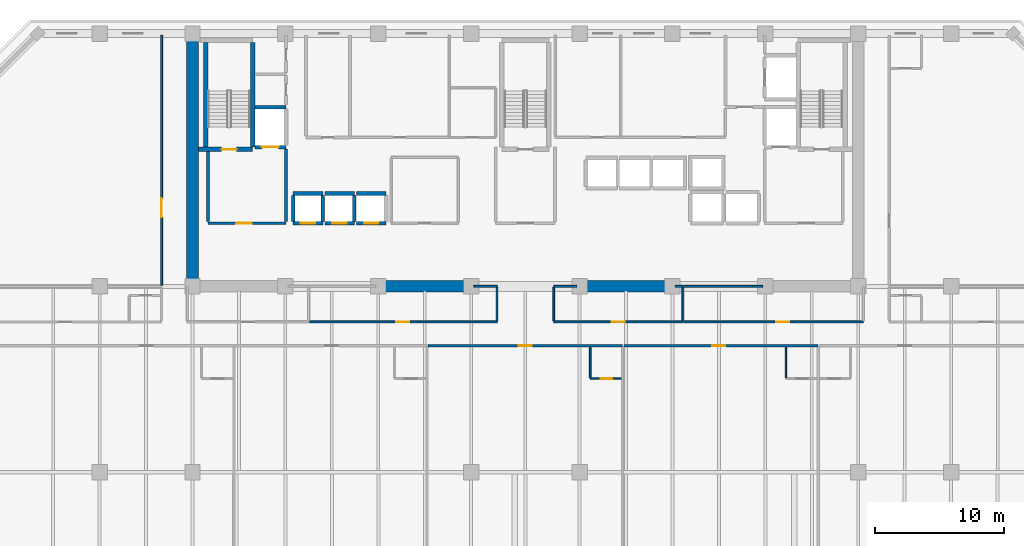
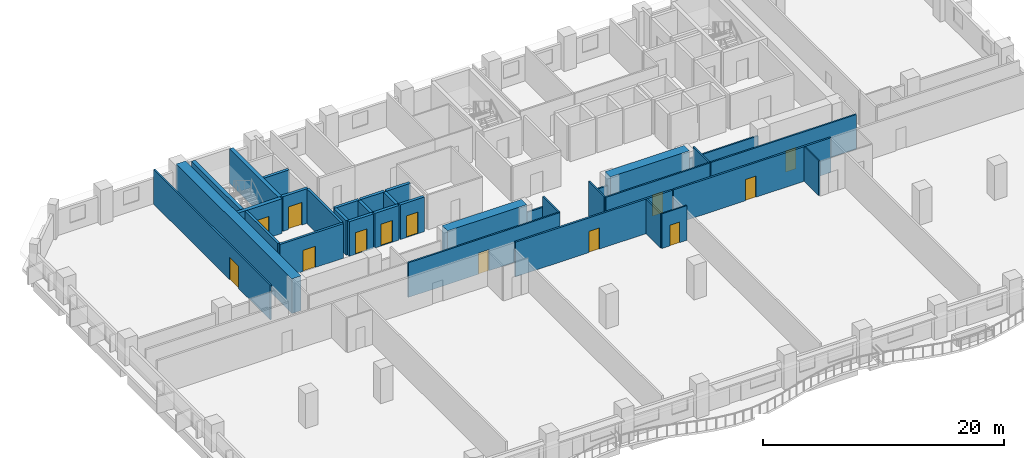
# One storey, part 6 of 14: 36 walls, 13 doors, 13 openings.
"""IFC4 building model written with IfcOpenShell, lengths in metres."""

import ifcopenshell
import ifcopenshell.guid

model = None  # the IFC model being written
_history = None  # IfcOwnerHistory: only IFC2X3 demands one
_inside = {}  # id of a spatial element -> (the spatial element, [elements in it])
_under = {}  # id of a project, library or spatial element -> (it, [spatial elements below it])
_declared = {}  # id of a project -> (the project, [libraries it declares])
_typed = {}  # id of a type object -> (the type object, [elements of that type])
_made_of = {}  # id of a material, layer set ... -> (it, [elements and type objects made of it])


def new_model(schema):
    """Start an empty IFC model of exactly this schema.

    Asked for "IFC4X3", IfcOpenShell would pick the latest addendum, in which some entities
    have other attributes; the version numbers below select the first issue.
    IFC2X3 requires an IfcOwnerHistory on every rooted entity: one is made here for all.
    """
    global model, _history
    if schema == "IFC4X3":
        model = ifcopenshell.file(schema_version=(4, 3, 0, 0))
    else:
        model = ifcopenshell.file(schema=schema)
    _inside.clear()
    _under.clear()
    _declared.clear()
    _typed.clear()
    _made_of.clear()
    _history = None
    if model.schema == "IFC2X3":
        org = make("IfcOrganization", Name="unknown")
        user = make(
            "IfcPersonAndOrganization",
            ThePerson=make("IfcPerson", FamilyName="unknown"),
            TheOrganization=org,
        )
        app = make(
            "IfcApplication",
            ApplicationDeveloper=org,
            Version="unknown",
            ApplicationFullName="unknown",
            ApplicationIdentifier="unknown",
        )
        _history = make(
            "IfcOwnerHistory",
            OwningUser=user,
            OwningApplication=app,
            ChangeAction="ADDED",
            CreationDate=0,
        )
    return model


def make(cls, **values):
    """One entity of the class cls with the attributes given. An attribute that is None is left unset."""
    return model.create_entity(
        cls, **{name: value for name, value in values.items() if value is not None}
    )


def rooted(cls, **values):
    """An entity with a GlobalId (a new one), such as an element, a storey or a relation."""
    return make(cls, GlobalId=ifcopenshell.guid.new(), OwnerHistory=_history, **values)


def si_unit(unit_type, name, prefix=None):
    """IfcSIUnit, for example si_unit("LENGTHUNIT", "METRE", prefix="MILLI")."""
    return make("IfcSIUnit", UnitType=unit_type, Prefix=prefix, Name=name)


def assignment(units):
    """IfcUnitAssignment: the units of a project."""
    return None if units is None else make("IfcUnitAssignment", Units=units)


def point(xyz):
    """IfcCartesianPoint."""
    return None if xyz is None else make("IfcCartesianPoint", Coordinates=xyz)


def direction(xyz):
    """IfcDirection."""
    return None if xyz is None else make("IfcDirection", DirectionRatios=xyz)


def frame(location, z_axis=None, x_axis=None):
    """IfcAxis2Placement3D, a coordinate frame: its origin and axes. An axis left out is left unset."""
    return make(
        "IfcAxis2Placement3D",
        Location=point(location),
        Axis=direction(z_axis),
        RefDirection=direction(x_axis),
    )


def frame_2d(location, x_axis=None):
    """IfcAxis2Placement2D, a coordinate frame in the plane: its origin and x axis."""
    return make(
        "IfcAxis2Placement2D", Location=point(location), RefDirection=direction(x_axis)
    )


def origin():
    """The frame at (0, 0, 0) with its axes left unset."""
    return frame((0.0, 0.0, 0.0))


def place(relative_to, where):
    """IfcLocalPlacement: puts the frame where relative to a parent placement (None: the world)."""
    return make(
        "IfcLocalPlacement", PlacementRelTo=relative_to, RelativePlacement=where
    )


def context(
    kind, dimensions, precision=None, world=None, true_north=None, identifier=None
):
    """IfcGeometricRepresentationContext, for example the 3D "Model" context."""
    return make(
        "IfcGeometricRepresentationContext",
        ContextIdentifier=identifier,
        ContextType=kind,
        CoordinateSpaceDimension=dimensions,
        Precision=precision,
        WorldCoordinateSystem=world,
        TrueNorth=true_north,
    )


def subcontext(parent, identifier, kind, view, scale=None):
    """IfcGeometricRepresentationSubContext, for example "Body" below "Model"."""
    return make(
        "IfcGeometricRepresentationSubContext",
        ContextIdentifier=identifier,
        ContextType=kind,
        ParentContext=parent,
        TargetScale=scale,
        TargetView=view,
    )


def project(units=None, contexts=None):
    """IfcProject with its units and contexts."""
    return rooted(
        "IfcProject",
        Name="project",
        RepresentationContexts=contexts,
        UnitsInContext=assignment(units),
    )


def spatial(cls, under=None, at=None, **own):
    """A site, building, storey or space (cls), placed at a placement, below another one or the project."""
    s = rooted(cls, ObjectPlacement=at, **own)
    if under is not None:
        _under.setdefault(under.id(), (under, []))[1].append(s)
    return s


def profile(cls, at=None, kind="AREA", **sizes):
    """A parametric profile (cls). Its sizes go by their IFC names, for example OverallWidth=200.0."""
    return make(cls, ProfileType=kind, Position=at, **sizes)


def rectangle(**sizes):
    """IfcRectangleProfileDef."""
    return profile("IfcRectangleProfileDef", **sizes)


def extrude(swept, where, along, depth):
    """IfcExtrudedAreaSolid: the profile swept, set in the frame where, extruded along a direction by depth."""
    return make(
        "IfcExtrudedAreaSolid",
        SweptArea=swept,
        Position=where,
        ExtrudedDirection=direction(along),
        Depth=depth,
    )


def shape(context_of_items, identifier, shape_type, items):
    """IfcShapeRepresentation: the items that make up one representation, for example the "Body"."""
    return make(
        "IfcShapeRepresentation",
        ContextOfItems=context_of_items,
        RepresentationIdentifier=identifier,
        RepresentationType=shape_type,
        Items=items,
    )


def material(Name=None, Category=None):
    """IfcMaterial."""
    return make("IfcMaterial", Name=Name, Category=Category)


def layer(
    of_material, thickness, ventilated=None, Name=None, Category=None, Priority=None
):
    """IfcMaterialLayer: one layer of a wall or slab, of a material (None: an air gap)."""
    return make(
        "IfcMaterialLayer",
        Material=of_material,
        LayerThickness=thickness,
        IsVentilated=ventilated,
        Name=Name,
        Category=Category,
        Priority=Priority,
    )


def layer_set(layers, Name=None):
    """IfcMaterialLayerSet."""
    return make("IfcMaterialLayerSet", MaterialLayers=layers, LayerSetName=Name)


def made_of(thing, what):
    """Note that an element or type object is made of a material, layer set ...; save() writes the relation."""
    if what is not None:
        _made_of.setdefault(what.id(), (what, []))[1].append(thing)
    return thing


def type_object(cls, material=None, **own):
    """A type object (cls), such as IfcWallType, which elements share."""
    return made_of(rooted(cls, **own), material)


def element(
    cls,
    number,
    at=None,
    inside=None,
    cuts=None,
    type_object=None,
    material=None,
    context=None,
    identifier="Body",
    shape_type=None,
    held_by="IfcProductDefinitionShape",
    body=None,
    shapes=None,
    **own,
):
    """One element of the class cls, such as IfcWall. Its Tag is "e" and its number.

    at: its placement. inside: the storey or other place that contains it. cuts: it is an
    opening in that element (IfcRelVoidsElement). A single representation is given by context,
    identifier, shape_type and body (its items); several are given by shapes. held_by: the class
    of the entity that holds the representations. save() writes the other relations.
    """
    e = rooted(cls, Tag="e%d" % number, ObjectPlacement=at, **own)
    if body is not None:
        shapes = [shape(context, identifier, shape_type, body)]
    if shapes is not None:
        e.Representation = make(held_by, Representations=shapes)
    if inside is not None:
        _inside.setdefault(inside.id(), (inside, []))[1].append(e)
    if cuts is not None:
        rooted(
            "IfcRelVoidsElement", RelatingBuildingElement=cuts, RelatedOpeningElement=e
        )
    if type_object is not None:
        _typed.setdefault(type_object.id(), (type_object, []))[1].append(e)
    return made_of(e, material)


def fill(opening, filler):
    """IfcRelFillsElement: the door or window that sits in an opening."""
    return rooted(
        "IfcRelFillsElement",
        RelatingOpeningElement=opening,
        RelatedBuildingElement=filler,
    )


def aggregate(whole, parts):
    """IfcRelAggregates: a whole, such as a stair, and the parts it consists of."""
    return rooted("IfcRelAggregates", RelatingObject=whole, RelatedObjects=parts)


def save(model, path):
    """Write the relations noted so far, then the file.

    IfcRelAggregates (storeys below a building ...), IfcRelContainedInSpatialStructure (elements
    in a storey), IfcRelDefinesByType, IfcRelAssociatesMaterial and IfcRelDeclares: one each for
    every whole, place, type object, material and project.
    """
    for whole, parts in _under.values():
        aggregate(whole, parts)
    for where, things in _inside.values():
        rooted(
            "IfcRelContainedInSpatialStructure",
            RelatedElements=things,
            RelatingStructure=where,
        )
    for kind, things in _typed.values():
        rooted("IfcRelDefinesByType", RelatedObjects=things, RelatingType=kind)
    for what, things in _made_of.values():
        rooted("IfcRelAssociatesMaterial", RelatedObjects=things, RelatingMaterial=what)
    for by, libraries in _declared.values():
        rooted("IfcRelDeclares", RelatingContext=by, RelatedDefinitions=libraries)
    model.write(path)


model = new_model("IFC4")

# Units and contexts
model_context = context("Model", 3, precision=1e-05, world=origin(), true_north=direction((0.0, 1.0)))
body_context = subcontext(model_context, "Body", "Model", "MODEL_VIEW")
ifc_project = project(units=[si_unit("LENGTHUNIT", "METRE"), si_unit("AREAUNIT", "SQUARE_METRE"), si_unit("VOLUMEUNIT", "CUBIC_METRE"), si_unit("PLANEANGLEUNIT", "RADIAN"), si_unit("MASSUNIT", "GRAM", prefix="KILO")], contexts=[model_context])

# Site, building, storey
site_placement = place(None, origin())
site = spatial("IfcSite", under=ifc_project, at=site_placement, CompositionType="ELEMENT")
building_placement = place(site_placement, origin())
building = spatial("IfcBuilding", under=site, at=building_placement, Name="Kaelvorn Grand Hotel", CompositionType="ELEMENT")
storey_placement = place(building_placement, frame((0.0, 0.0, 126.800048828125)))
storey = spatial("IfcBuildingStorey", under=building, at=storey_placement, Name="L30", CompositionType="ELEMENT", Elevation=126.800048828125)

# Walls
ifc_material_1 = material(Name="Concrete C60/75", Category="concrete")
ifc_layer_1 = layer(ifc_material_1, 0.89990234375)
ifc_layer_set_1 = layer_set([ifc_layer_1], Name="Concrete C60/75")
wall_type_1 = type_object("IfcWallType", Name="WL-CORE-900-C60", PredefinedType="SHEAR", material=ifc_layer_set_1)
wall_1_placement = place(storey_placement, frame((16.199951171875, 29.39990234375, 0.0), z_axis=(0.0, 0.0, 1.0), x_axis=(0.0, 1.0, 0.0)))
element("IfcWall", 1, at=wall_1_placement, inside=storey, type_object=wall_type_1, Name="L30 Rear-Core West Shear Wall", PredefinedType="SHEAR", context=body_context, shape_type="SweptSolid", body=[
    extrude(rectangle(XDim=19.2001953125, YDim=0.89990234375, at=frame_2d((9.60009765625, 0.0))), origin(), (0.0, 0.0, 1.0), 3.510009765625),
])
for number, where, z_axis, x_axis, name in (
    (2, (30.39990234375, 29.39990234375, 0.0), (0.0, 0.0, 1.0), (1.0, 0.0, 0.0), "L30 Rear-Core Coupled Shear Pier S2"),
    (3, (46.0, 29.39990234375, 0.0), (0.0, 0.0, 1.0), (1.0, 0.0, 0.0), "L30 Rear-Core Coupled Shear Pier S3"),
):
    element("IfcWall", number, at=place(storey_placement, frame(where, z_axis=z_axis, x_axis=x_axis)), inside=storey, type_object=wall_type_1, Name=name, PredefinedType="SHEAR", context=body_context, shape_type="SweptSolid", body=[
        extrude(rectangle(XDim=7.60009765625, YDim=0.89990234375, at=frame_2d((3.800048828125, 0.0))), origin(), (0.0, 0.0, 1.0), 3.510009765625),
    ])

# Wall, opening, door
ifc_material_2 = material(Name="Moisture-Resistant Tile & Stud Board")
ifc_layer_2 = layer(ifc_material_2, 0.125)
ifc_layer_set_2 = layer_set([ifc_layer_2], Name="Moisture-Resistant Tile & Stud Board")
wall_type_2 = type_object("IfcWallType", Name="WL-PART-125-WET", PredefinedType="PARTITIONING", material=ifc_layer_set_2)
wall_2_placement = place(storey_placement, frame((47.030029296875, 22.25, 0.0), z_axis=(0.0, 0.0, 1.0), x_axis=(1.0, 0.0, 0.0)))
wall_2 = element("IfcWall", 4, at=wall_2_placement, inside=storey, type_object=wall_type_2, Name="L30 En-suite Bathroom L30-03 S Partition", PredefinedType="PARTITIONING", context=body_context, shape_type="SweptSolid", body=[
    extrude(rectangle(XDim=2.405029296875, YDim=0.125, at=frame_2d((1.20263671875, 0.0))), origin(), (0.0, 0.0, 1.0), 3.510009765625),
])
opening_1_placement = place(wall_2_placement, frame((0.800048828125, 0.0, 0.0)))
opening_1 = element("IfcOpeningElement", 5, at=opening_1_placement, cuts=wall_2, Name="Opening DI4", PredefinedType="OPENING", context=body_context, shape_type="SweptSolid", body=[
    extrude(rectangle(XDim=0.89990234375, YDim=2.10009765625, at=frame_2d((0.449951171875, 1.050048828125))), frame((0.0, 0.072509765625, 0.0), z_axis=(0.0, -1.0, 0.0), x_axis=(1.0, 0.0, 0.0)), (0.0, 0.0, 1.0), 0.14501953125),
])
ifc_material_3 = material(Name="Timber Veneer Leaf", Category="wood")
door_type_1 = type_object("IfcDoorType", Name="DR-INT-BATH-900x2100", OperationType="NOTDEFINED", PredefinedType="DOOR", material=ifc_material_3)
door_1_placement = place(opening_1_placement, origin())
door_1 = element("IfcDoor", 6, at=door_1_placement, inside=storey, type_object=door_type_1, Name="L30 En-suite Bathroom L30-03 Door", OperationType="SINGLE_SWING_RIGHT", OverallHeight=2.10009765625, OverallWidth=0.89990234375, PredefinedType="DOOR", context=body_context, shape_type="SweptSolid", body=[
    extrude(rectangle(XDim=0.89990234375, YDim=2.10009765625, at=frame_2d((0.449951171875, 1.050048828125))), frame((0.0, 0.02490234375, 0.0), z_axis=(0.0, -1.0, 0.0), x_axis=(1.0, 0.0, 0.0)), (0.0, 0.0, 1.0), 0.050048828125),
])
fill(opening_1, door_1)

# Walls
for number, where, z_axis, x_axis, name in (
    (7, (47.030029296875, 22.3173828125, 0.0), (0.0, 0.0, 1.0), (0.0, 1.0, 0.0), "L30 En-suite Bathroom L30-03 W Partition"),
    (8, (62.190673828125, 22.3173828125, 0.0), (0.0, 0.0, 1.0), (0.0, 1.0, 0.0), "L30 En-suite Bathroom L30-04 W Partition"),
):
    element("IfcWall", number, at=place(storey_placement, frame(where, z_axis=z_axis, x_axis=x_axis)), inside=storey, type_object=wall_type_2, Name=name, PredefinedType="PARTITIONING", context=body_context, shape_type="SweptSolid", body=[
        extrude(rectangle(XDim=2.3876953125, YDim=0.125, at=frame_2d((1.19384765625, 0.0))), origin(), (0.0, 0.0, 1.0), 3.510009765625),
    ])

# Wall, opening, door
ifc_material_4 = material(Name="Acoustic Gypsum & Stud Partition")
ifc_layer_3 = layer(ifc_material_4, 0.14990234375)
ifc_layer_set_3 = layer_set([ifc_layer_3], Name="Acoustic Gypsum & Stud Partition")
wall_type_3 = type_object("IfcWallType", Name="WL-PART-150-EI60", PredefinedType="PARTITIONING", material=ifc_layer_set_3)
wall_3_placement = place(storey_placement, frame((25.280029296875, 26.64990234375, 0.0), z_axis=(0.0, 0.0, 1.0), x_axis=(1.0, 0.0, 0.0)))
wall_3 = element("IfcWall", 9, at=wall_3_placement, inside=storey, type_object=wall_type_3, Name="L30 Banquet Prep Kitchen S Partition", PredefinedType="PARTITIONING", context=body_context, shape_type="SweptSolid", body=[
    extrude(rectangle(XDim=14.52001953125, YDim=0.14990234375, at=frame_2d((7.260009765625, 0.0))), origin(), (0.0, 0.0, 1.0), 3.510009765625),
])
opening_2_placement = place(wall_3_placement, frame((6.719970703125, 0.0, 0.0)))
opening_2 = element("IfcOpeningElement", 10, at=opening_2_placement, cuts=wall_3, Name="Opening DI3", PredefinedType="OPENING", context=body_context, shape_type="SweptSolid", body=[
    extrude(rectangle(XDim=1.0, YDim=2.14990234375, at=frame_2d((0.5, 1.074951171875))), frame((0.0, 0.0849609375, 0.0), z_axis=(0.0, -1.0, 0.0), x_axis=(1.0, 0.0, 0.0)), (0.0, 0.0, 1.0), 0.169921875),
])
ifc_material_5 = material(Name="Timber Veneer Fire Leaf", Category="wood")
door_type_2 = type_object("IfcDoorType", Name="DR-INT-GUEST-1000x2150", OperationType="NOTDEFINED", PredefinedType="DOOR", material=ifc_material_5)
door_2_placement = place(opening_2_placement, origin())
door_2 = element("IfcDoor", 11, at=door_2_placement, inside=storey, type_object=door_type_2, Name="L30 Banquet Prep Kitchen Door", OperationType="SINGLE_SWING_RIGHT", OverallHeight=2.14990234375, OverallWidth=1.0, PredefinedType="DOOR", context=body_context, shape_type="SweptSolid", body=[
    extrude(rectangle(XDim=1.0, YDim=2.14990234375, at=frame_2d((0.5, 1.074951171875))), frame((0.0, 0.02490234375, 0.0), z_axis=(0.0, -1.0, 0.0), x_axis=(1.0, 0.0, 0.0)), (0.0, 0.0, 1.0), 0.050048828125),
])
fill(opening_2, door_2)

# Walls
wall_4_placement = place(storey_placement, frame((38.010009765625, 29.39990234375, 0.0), z_axis=(0.0, 0.0, 1.0), x_axis=(1.0, 0.0, 0.0)))
element("IfcWall", 12, at=wall_4_placement, inside=storey, type_object=wall_type_3, Name="L30 Banquet Prep Kitchen N Partition (2)", PredefinedType="PARTITIONING", context=body_context, shape_type="SweptSolid", body=[
    extrude(rectangle(XDim=1.7900390625, YDim=0.14990234375, at=frame_2d((0.89501953125, 0.0))), origin(), (0.0, 0.0, 1.0), 2.409912109375),
])
wall_5_placement = place(storey_placement, frame((39.800048828125, 26.72998046875, 0.0), z_axis=(0.0, 0.0, 1.0), x_axis=(0.0, 1.0, 0.0)))
element("IfcWall", 13, at=wall_5_placement, inside=storey, type_object=wall_type_3, Name="L30 Banquet Prep Kitchen E Partition", PredefinedType="PARTITIONING", context=body_context, shape_type="SweptSolid", body=[
    extrude(rectangle(XDim=2.590087890625, YDim=0.14990234375, at=frame_2d((1.294921875, 0.0))), origin(), (0.0, 0.0, 1.0), 3.510009765625),
])

# Wall, opening, door
wall_6_placement = place(storey_placement, frame((44.199951171875, 26.64990234375, 0.0), z_axis=(0.0, 0.0, 1.0), x_axis=(1.0, 0.0, 0.0)))
wall_6 = element("IfcWall", 14, at=wall_6_placement, inside=storey, type_object=wall_type_3, Name="L30 Board Meeting Room S Partition", PredefinedType="PARTITIONING", context=body_context, shape_type="SweptSolid", body=[
    extrude(rectangle(XDim=10.0, YDim=0.14990234375, at=frame_2d((5.0, 0.0))), origin(), (0.0, 0.0, 1.0), 3.510009765625),
])
opening_3_placement = place(wall_6_placement, frame((4.5, 0.0, 0.0)))
opening_3 = element("IfcOpeningElement", 15, at=opening_3_placement, cuts=wall_6, Name="Opening DI3", PredefinedType="OPENING", context=body_context, shape_type="SweptSolid", body=[
    extrude(rectangle(XDim=1.0, YDim=2.14990234375, at=frame_2d((0.5, 1.074951171875))), frame((0.0, 0.0849609375, 0.0), z_axis=(0.0, -1.0, 0.0), x_axis=(1.0, 0.0, 0.0)), (0.0, 0.0, 1.0), 0.169921875),
])
door_3_placement = place(opening_3_placement, origin())
door_3 = element("IfcDoor", 16, at=door_3_placement, inside=storey, type_object=door_type_2, Name="L30 Board Meeting Room Door", OperationType="SINGLE_SWING_LEFT", OverallHeight=2.14990234375, OverallWidth=1.0, PredefinedType="DOOR", context=body_context, shape_type="SweptSolid", body=[
    extrude(rectangle(XDim=1.0, YDim=2.14990234375, at=frame_2d((0.5, 1.074951171875))), frame((0.0, 0.02490234375, 0.0), z_axis=(0.0, -1.0, 0.0), x_axis=(1.0, 0.0, 0.0)), (0.0, 0.0, 1.0), 0.050048828125),
])
fill(opening_3, door_3)

# Walls
wall_7_placement = place(storey_placement, frame((44.199951171875, 29.39990234375, 0.0), z_axis=(0.0, 0.0, 1.0), x_axis=(1.0, 0.0, 0.0)))
element("IfcWall", 17, at=wall_7_placement, inside=storey, type_object=wall_type_3, Name="L30 Board Meeting Room N Partition (1)", PredefinedType="PARTITIONING", context=body_context, shape_type="SweptSolid", body=[
    extrude(rectangle(XDim=1.7900390625, YDim=0.14990234375, at=frame_2d((0.89501953125, 0.0))), origin(), (0.0, 0.0, 1.0), 2.409912109375),
])
wall_8_placement = place(storey_placement, frame((53.610107421875, 29.39990234375, 0.0), z_axis=(0.0, 0.0, 1.0), x_axis=(1.0, 0.0, 0.0)))
element("IfcWall", 18, at=wall_8_placement, inside=storey, type_object=wall_type_3, Name="L30 Board Meeting Room N Partition (2)", PredefinedType="PARTITIONING", context=body_context, shape_type="SweptSolid", body=[
    extrude(rectangle(XDim=0.58984375, YDim=0.14990234375, at=frame_2d((0.294921875, 0.0))), origin(), (0.0, 0.0, 1.0), 2.409912109375),
])
for number, where, z_axis, x_axis, name in (
    (19, (44.199951171875, 26.72998046875, 0.0), (0.0, 0.0, 1.0), (0.0, 1.0, 0.0), "L30 Board Meeting Room W Partition"),
    (20, (54.199951171875, 26.72998046875, 0.0), (0.0, 0.0, 1.0), (0.0, 1.0, 0.0), "L30 Board Meeting Room E Partition"),
):
    element("IfcWall", number, at=place(storey_placement, frame(where, z_axis=z_axis, x_axis=x_axis)), inside=storey, type_object=wall_type_3, Name=name, PredefinedType="PARTITIONING", context=body_context, shape_type="SweptSolid", body=[
        extrude(rectangle(XDim=2.590087890625, YDim=0.14990234375, at=frame_2d((1.294921875, 0.0))), origin(), (0.0, 0.0, 1.0), 3.510009765625),
    ])

# Wall, opening, door
wall_9_placement = place(storey_placement, frame((54.280029296875, 26.64990234375, 0.0), z_axis=(0.0, 0.0, 1.0), x_axis=(1.0, 0.0, 0.0)))
wall_9 = element("IfcWall", 21, at=wall_9_placement, inside=storey, type_object=wall_type_3, Name="L30 Diplomatic Chancery Office S Partition", PredefinedType="PARTITIONING", context=body_context, shape_type="SweptSolid", body=[
    extrude(rectangle(XDim=13.919921875, YDim=0.14990234375, at=frame_2d((6.9599609375, 0.0))), origin(), (0.0, 0.0, 1.0), 3.510009765625),
])
opening_4_placement = place(wall_9_placement, frame((7.169921875, 0.0, 0.0)))
opening_4 = element("IfcOpeningElement", 22, at=opening_4_placement, cuts=wall_9, Name="Opening DI3", PredefinedType="OPENING", context=body_context, shape_type="SweptSolid", body=[
    extrude(rectangle(XDim=1.0, YDim=2.14990234375, at=frame_2d((0.5, 1.074951171875))), frame((0.0, 0.0849609375, 0.0), z_axis=(0.0, -1.0, 0.0), x_axis=(1.0, 0.0, 0.0)), (0.0, 0.0, 1.0), 0.169921875),
])
door_4_placement = place(opening_4_placement, origin())
door_4 = element("IfcDoor", 23, at=door_4_placement, inside=storey, type_object=door_type_2, Name="L30 Diplomatic Chancery Office Door", OperationType="SINGLE_SWING_RIGHT", OverallHeight=2.14990234375, OverallWidth=1.0, PredefinedType="DOOR", context=body_context, shape_type="SweptSolid", body=[
    extrude(rectangle(XDim=1.0, YDim=2.14990234375, at=frame_2d((0.5, 1.074951171875))), frame((0.0, 0.02490234375, 0.0), z_axis=(0.0, -1.0, 0.0), x_axis=(1.0, 0.0, 0.0)), (0.0, 0.0, 1.0), 0.050048828125),
])
fill(opening_4, door_4)

# Wall
wall_10_placement = place(storey_placement, frame((54.280029296875, 29.39990234375, 0.0), z_axis=(0.0, 0.0, 1.0), x_axis=(1.0, 0.0, 0.0)))
element("IfcWall", 24, at=wall_10_placement, inside=storey, type_object=wall_type_3, Name="L30 Diplomatic Chancery Office N Partition", PredefinedType="PARTITIONING", context=body_context, shape_type="SweptSolid", body=[
    extrude(rectangle(XDim=6.10986328125, YDim=0.14990234375, at=frame_2d((3.054931640625, 0.0))), origin(), (0.0, 0.0, 1.0), 2.409912109375),
])

# Wall, opening, door
wall_11_placement = place(storey_placement, frame((13.800048828125, 29.4951171875, 0.0), z_axis=(0.0, 0.0, 1.0), x_axis=(0.0, 1.0, 0.0)))
wall_11 = element("IfcWall", 25, at=wall_11_placement, inside=storey, type_object=wall_type_3, Name="L30 North-West Board Meeting Room E Partition", PredefinedType="PARTITIONING", context=body_context, shape_type="SweptSolid", body=[
    extrude(rectangle(XDim=19.35498046875, YDim=0.14990234375, at=frame_2d((9.677490234375, 0.0))), origin(), (0.0, 0.0, 1.0), 3.510009765625),
])
opening_5_placement = place(wall_11_placement, frame((5.2548828125, 0.0, 0.0)))
opening_5 = element("IfcOpeningElement", 26, at=opening_5_placement, cuts=wall_11, Name="Opening DI5", PredefinedType="OPENING", context=body_context, shape_type="SweptSolid", body=[
    extrude(rectangle(XDim=1.5, YDim=2.25, at=frame_2d((0.75, 1.125))), frame((0.0, 0.0849609375, 0.0), z_axis=(0.0, -1.0, 0.0), x_axis=(1.0, 0.0, 0.0)), (0.0, 0.0, 1.0), 0.169921875),
])
door_type_3 = type_object("IfcDoorType", Name="DR-INT-SALON-1500x2250", OperationType="DOUBLE_DOOR_SINGLE_SWING", PredefinedType="DOOR", material=ifc_material_5)
door_5_placement = place(opening_5_placement, origin())
door_5 = element("IfcDoor", 27, at=door_5_placement, inside=storey, type_object=door_type_3, Name="L30 North-West Board Meeting Room Door", OperationType="DOUBLE_DOOR_SINGLE_SWING", OverallHeight=2.25, OverallWidth=1.5, PredefinedType="DOOR", context=body_context, shape_type="SweptSolid", body=[
    extrude(rectangle(XDim=1.5, YDim=2.25, at=frame_2d((0.75, 1.125))), frame((0.0, 0.02490234375, 0.0), z_axis=(0.0, -1.0, 0.0), x_axis=(1.0, 0.0, 0.0)), (0.0, 0.0, 1.0), 0.050048828125),
])
fill(opening_5, door_5)

ifc_layer_4 = layer(ifc_material_4, 0.179931640625)
ifc_layer_set_4 = layer_set([ifc_layer_4], Name="Acoustic Gypsum & Stud Partition")
wall_type_4 = type_object("IfcWallType", Name="WL-PART-180-EI60", PredefinedType="PARTITIONING", material=ifc_layer_set_4)
wall_12_placement = place(storey_placement, frame((34.464599609375, 24.800048828125, 0.0), z_axis=(0.0, 0.0, 1.0), x_axis=(1.0, 0.0, 0.0)))
wall_12 = element("IfcWall", 28, at=wall_12_placement, inside=storey, type_object=wall_type_4, Name="L30 Presidential Sky Suite L30-03 N Partition", PredefinedType="PARTITIONING", context=body_context, shape_type="SweptSolid", body=[
    extrude(rectangle(XDim=15.0654296875, YDim=0.179931640625, at=frame_2d((7.53271484375, 0.0))), origin(), (0.0, 0.0, 1.0), 3.510009765625),
])
opening_6_placement = place(wall_12_placement, frame((7.035400390625, 0.0, 0.0)))
opening_6 = element("IfcOpeningElement", 29, at=opening_6_placement, cuts=wall_12, Name="Opening DI3", PredefinedType="OPENING", context=body_context, shape_type="SweptSolid", body=[
    extrude(rectangle(XDim=1.0, YDim=2.14990234375, at=frame_2d((0.5, 1.074951171875))), frame((0.0, 0.10009765625, 0.0), z_axis=(0.0, -1.0, 0.0), x_axis=(1.0, 0.0, 0.0)), (0.0, 0.0, 1.0), 0.199951171875),
])
door_6_placement = place(opening_6_placement, origin())
door_6 = element("IfcDoor", 30, at=door_6_placement, inside=storey, type_object=door_type_2, Name="L30 Presidential Sky Suite L30-03 Door", OperationType="SINGLE_SWING_LEFT", OverallHeight=2.14990234375, OverallWidth=1.0, PredefinedType="DOOR", context=body_context, shape_type="SweptSolid", body=[
    extrude(rectangle(XDim=1.0, YDim=2.14990234375, at=frame_2d((0.5, 1.074951171875))), frame((0.0, 0.02490234375, 0.0), z_axis=(0.0, -1.0, 0.0), x_axis=(1.0, 0.0, 0.0)), (0.0, 0.0, 1.0), 0.050048828125),
])
fill(opening_6, door_6)

wall_13_placement = place(storey_placement, frame((49.625, 24.800048828125, 0.0), z_axis=(0.0, 0.0, 1.0), x_axis=(1.0, 0.0, 0.0)))
wall_13 = element("IfcWall", 31, at=wall_13_placement, inside=storey, type_object=wall_type_4, Name="L30 Presidential Sky Suite L30-04 N Partition", PredefinedType="PARTITIONING", context=body_context, shape_type="SweptSolid", body=[
    extrude(rectangle(XDim=15.065673828125, YDim=0.179931640625, at=frame_2d((7.53271484375, 0.0))), origin(), (0.0, 0.0, 1.0), 3.510009765625),
])
opening_7_placement = place(wall_13_placement, frame((6.875, 0.0, 0.0)))
opening_7 = element("IfcOpeningElement", 32, at=opening_7_placement, cuts=wall_13, Name="Opening DI3", PredefinedType="OPENING", context=body_context, shape_type="SweptSolid", body=[
    extrude(rectangle(XDim=1.0, YDim=2.14990234375, at=frame_2d((0.5, 1.074951171875))), frame((0.0, 0.10009765625, 0.0), z_axis=(0.0, -1.0, 0.0), x_axis=(1.0, 0.0, 0.0)), (0.0, 0.0, 1.0), 0.199951171875),
])
door_7_placement = place(opening_7_placement, origin())
door_7 = element("IfcDoor", 33, at=door_7_placement, inside=storey, type_object=door_type_2, Name="L30 Presidential Sky Suite L30-04 Door", OperationType="SINGLE_SWING_LEFT", OverallHeight=2.14990234375, OverallWidth=1.0, PredefinedType="DOOR", context=body_context, shape_type="SweptSolid", body=[
    extrude(rectangle(XDim=1.0, YDim=2.14990234375, at=frame_2d((0.5, 1.074951171875))), frame((0.0, 0.02490234375, 0.0), z_axis=(0.0, -1.0, 0.0), x_axis=(1.0, 0.0, 0.0)), (0.0, 0.0, 1.0), 0.050048828125),
])
fill(opening_7, door_7)

ifc_material_6 = material(Name="Concrete C40/50", Category="concrete")
ifc_layer_5 = layer(ifc_material_6, 0.219970703125)
ifc_layer_set_5 = layer_set([ifc_layer_5], Name="Concrete C40/50")
wall_type_5 = type_object("IfcWallType", Name="WL-PART-220-EI120", PredefinedType="PARTITIONING", material=ifc_layer_set_5)
wall_14_placement = place(storey_placement, frame((17.39990234375, 34.300048828125, 0.0), z_axis=(0.0, 0.0, 1.0), x_axis=(1.0, 0.0, 0.0)))
wall_14 = element("IfcWall", 34, at=wall_14_placement, inside=storey, type_object=wall_type_5, Name="L30 Firefighting Lift Lobby 1 S Partition", PredefinedType="PARTITIONING", context=body_context, shape_type="SweptSolid", body=[
    extrude(rectangle(XDim=6.050048828125, YDim=0.219970703125, at=frame_2d((3.02490234375, 0.0))), origin(), (0.0, 0.0, 1.0), 3.510009765625),
])
opening_8_placement = place(wall_14_placement, frame((2.199951171875, 0.0, 0.0)))
opening_8 = element("IfcOpeningElement", 35, at=opening_8_placement, cuts=wall_14, Name="Opening DI2", PredefinedType="OPENING", context=body_context, shape_type="SweptSolid", body=[
    extrude(rectangle(XDim=1.199951171875, YDim=2.14990234375, at=frame_2d((0.60009765625, 1.074951171875))), frame((0.0, 0.1201171875, 0.0), z_axis=(0.0, -1.0, 0.0), x_axis=(1.0, 0.0, 0.0)), (0.0, 0.0, 1.0), 0.239990234375),
])
door_type_4 = type_object("IfcDoorType", Name="DR-INT-FFLOB-1200x2150", OperationType="NOTDEFINED", PredefinedType="DOOR", material=ifc_material_5)
door_8_placement = place(opening_8_placement, origin())
door_8 = element("IfcDoor", 36, at=door_8_placement, inside=storey, type_object=door_type_4, Name="L30 Firefighting Lift Lobby 1 Door", OperationType="SINGLE_SWING_LEFT", OverallHeight=2.14990234375, OverallWidth=1.199951171875, PredefinedType="DOOR", context=body_context, shape_type="SweptSolid", body=[
    extrude(rectangle(XDim=1.199951171875, YDim=2.14990234375, at=frame_2d((0.60009765625, 1.074951171875))), frame((0.0, 0.02490234375, 0.0), z_axis=(0.0, -1.0, 0.0), x_axis=(1.0, 0.0, 0.0)), (0.0, 0.0, 1.0), 0.050048828125),
])
fill(opening_8, door_8)

# Walls
wall_15_placement = place(storey_placement, frame((17.39990234375, 34.4150390625, 0.0), z_axis=(0.0, 0.0, 1.0), x_axis=(0.0, 1.0, 0.0)))
element("IfcWall", 37, at=wall_15_placement, inside=storey, type_object=wall_type_5, Name="L30 Firefighting Lift Lobby 1 W Partition", PredefinedType="PARTITIONING", context=body_context, shape_type="SweptSolid", body=[
    extrude(rectangle(XDim=5.429931640625, YDim=0.219970703125, at=frame_2d((2.71484375, 0.0))), origin(), (0.0, 0.0, 1.0), 3.510009765625),
])
wall_16_placement = place(storey_placement, frame((23.449951171875, 34.4150390625, 0.0), z_axis=(0.0, 0.0, 1.0), x_axis=(0.0, 1.0, 0.0)))
element("IfcWall", 38, at=wall_16_placement, inside=storey, type_object=wall_type_5, Name="L30 Firefighting Lift Lobby 1 E Partition", PredefinedType="PARTITIONING", context=body_context, shape_type="SweptSolid", body=[
    extrude(rectangle(XDim=5.639892578125, YDim=0.219970703125, at=frame_2d((2.81982421875, 0.0))), origin(), (0.0, 0.0, 1.0), 3.510009765625),
])

# Wall, opening, door
ifc_material_7 = material(Name="Concrete C50/60", Category="concrete")
ifc_layer_6 = layer(ifc_material_7, 0.280029296875)
ifc_layer_set_6 = layer_set([ifc_layer_6], Name="Concrete C50/60")
wall_type_6 = type_object("IfcWallType", Name="WL-SHAFT-280-C50", PredefinedType="SHEAR", material=ifc_layer_set_6)
wall_17_placement = place(storey_placement, frame((24.0, 34.300048828125, 0.0), z_axis=(0.0, 0.0, 1.0), x_axis=(1.0, 0.0, 0.0)))
wall_17 = element("IfcWall", 39, at=wall_17_placement, inside=storey, type_object=wall_type_6, Name="L30 Lift PL-L1 Shaft South Wall", PredefinedType="SHEAR", context=body_context, shape_type="SweptSolid", body=[
    extrude(rectangle(XDim=2.300048828125, YDim=0.280029296875, at=frame_2d((1.14990234375, 0.0))), origin(), (0.0, 0.0, 1.0), 3.510009765625),
])
opening_9_placement = place(wall_17_placement, frame((0.60009765625, 0.0, 0.0)))
opening_9 = element("IfcOpeningElement", 40, at=opening_9_placement, cuts=wall_17, Name="Opening LD-PL-L1", PredefinedType="OPENING", context=body_context, shape_type="SweptSolid", body=[
    extrude(rectangle(XDim=1.10009765625, YDim=2.199951171875, at=frame_2d((0.550048828125, 1.10009765625))), frame((0.0, 0.14990234375, 0.0), z_axis=(0.0, -1.0, 0.0), x_axis=(1.0, 0.0, 0.0)), (0.0, 0.0, 1.0), 0.300048828125),
])
ifc_material_8 = material(Name="Stainless Steel", Category="steel")
door_type_5 = type_object("IfcDoorType", Name="DR-LIFT-PASS-1100x2200", OperationType="DOUBLE_DOOR_SLIDING", PredefinedType="DOOR", material=ifc_material_8)
door_9_placement = place(opening_9_placement, origin())
door_9 = element("IfcDoor", 41, at=door_9_placement, inside=storey, type_object=door_type_5, Name="L30 Lift PL-L1 Sliding Landing Door LD-PL-L1", OperationType="DOUBLE_DOOR_SLIDING", OverallHeight=2.199951171875, OverallWidth=1.10009765625, PredefinedType="DOOR", context=body_context, shape_type="SweptSolid", body=[
    extrude(rectangle(XDim=1.10009765625, YDim=2.199951171875, at=frame_2d((0.550048828125, 1.10009765625))), frame((0.0, 0.02490234375, 0.0), z_axis=(0.0, -1.0, 0.0), x_axis=(1.0, 0.0, 0.0)), (0.0, 0.0, 1.0), 0.050048828125),
])
fill(opening_9, door_9)

# Walls
wall_18_placement = place(storey_placement, frame((24.0, 36.60009765625, 0.0), z_axis=(0.0, 0.0, 1.0), x_axis=(1.0, 0.0, 0.0)))
element("IfcWall", 42, at=wall_18_placement, inside=storey, type_object=wall_type_6, Name="L30 Lift PL-L1 Shaft North Wall", PredefinedType="SHEAR", context=body_context, shape_type="SweptSolid", body=[
    extrude(rectangle(XDim=2.300048828125, YDim=0.280029296875, at=frame_2d((1.14990234375, 0.0))), origin(), (0.0, 0.0, 1.0), 3.510009765625),
])
for number, where, z_axis, x_axis, name in (
    (43, (24.0, 34.445068359375, 0.0), (0.0, 0.0, 1.0), (0.0, 1.0, 0.0), "L30 Lift PL-L1 Shaft West Wall"),
    (44, (26.300048828125, 34.445068359375, 0.0), (0.0, 0.0, 1.0), (0.0, 1.0, 0.0), "L30 Lift PL-L1 Shaft East Wall"),
):
    element("IfcWall", number, at=place(storey_placement, frame(where, z_axis=z_axis, x_axis=x_axis)), inside=storey, type_object=wall_type_6, Name=name, PredefinedType="SHEAR", context=body_context, shape_type="SweptSolid", body=[
        extrude(rectangle(XDim=2.010009765625, YDim=0.280029296875, at=frame_2d((1.0048828125, 0.0))), origin(), (0.0, 0.0, 1.0), 3.510009765625),
    ])

# Wall, opening, door
wall_19_placement = place(storey_placement, frame((26.449951171875, 34.300048828125, 0.0), z_axis=(0.0, 0.0, 1.0), x_axis=(1.0, 0.0, 0.0)))
wall_19 = element("IfcWall", 45, at=wall_19_placement, inside=storey, type_object=wall_type_6, Name="L30 Lift PL-L2 Shaft South Wall", PredefinedType="SHEAR", context=body_context, shape_type="SweptSolid", body=[
    extrude(rectangle(XDim=2.300048828125, YDim=0.280029296875, at=frame_2d((1.14990234375, 0.0))), origin(), (0.0, 0.0, 1.0), 3.510009765625),
])
opening_10_placement = place(wall_19_placement, frame((0.60009765625, 0.0, 0.0)))
opening_10 = element("IfcOpeningElement", 46, at=opening_10_placement, cuts=wall_19, Name="Opening LD-PL-L2", PredefinedType="OPENING", context=body_context, shape_type="SweptSolid", body=[
    extrude(rectangle(XDim=1.10009765625, YDim=2.199951171875, at=frame_2d((0.550048828125, 1.10009765625))), frame((0.0, 0.14990234375, 0.0), z_axis=(0.0, -1.0, 0.0), x_axis=(1.0, 0.0, 0.0)), (0.0, 0.0, 1.0), 0.300048828125),
])
door_10_placement = place(opening_10_placement, origin())
door_10 = element("IfcDoor", 47, at=door_10_placement, inside=storey, type_object=door_type_5, Name="L30 Lift PL-L2 Sliding Landing Door LD-PL-L2", OperationType="DOUBLE_DOOR_SLIDING", OverallHeight=2.199951171875, OverallWidth=1.10009765625, PredefinedType="DOOR", context=body_context, shape_type="SweptSolid", body=[
    extrude(rectangle(XDim=1.10009765625, YDim=2.199951171875, at=frame_2d((0.550048828125, 1.10009765625))), frame((0.0, 0.02490234375, 0.0), z_axis=(0.0, -1.0, 0.0), x_axis=(1.0, 0.0, 0.0)), (0.0, 0.0, 1.0), 0.050048828125),
])
fill(opening_10, door_10)

# Walls
wall_20_placement = place(storey_placement, frame((26.449951171875, 36.60009765625, 0.0), z_axis=(0.0, 0.0, 1.0), x_axis=(1.0, 0.0, 0.0)))
element("IfcWall", 48, at=wall_20_placement, inside=storey, type_object=wall_type_6, Name="L30 Lift PL-L2 Shaft North Wall", PredefinedType="SHEAR", context=body_context, shape_type="SweptSolid", body=[
    extrude(rectangle(XDim=2.300048828125, YDim=0.280029296875, at=frame_2d((1.14990234375, 0.0))), origin(), (0.0, 0.0, 1.0), 3.510009765625),
])
wall_21_placement = place(storey_placement, frame((28.75, 34.445068359375, 0.0), z_axis=(0.0, 0.0, 1.0), x_axis=(0.0, 1.0, 0.0)))
element("IfcWall", 49, at=wall_21_placement, inside=storey, type_object=wall_type_6, Name="L30 Lift PL-L2 Shaft East Wall", PredefinedType="SHEAR", context=body_context, shape_type="SweptSolid", body=[
    extrude(rectangle(XDim=2.010009765625, YDim=0.280029296875, at=frame_2d((1.0048828125, 0.0))), origin(), (0.0, 0.0, 1.0), 3.510009765625),
])

# Wall, opening, door
wall_22_placement = place(storey_placement, frame((28.89990234375, 34.300048828125, 0.0), z_axis=(0.0, 0.0, 1.0), x_axis=(1.0, 0.0, 0.0)))
wall_22 = element("IfcWall", 50, at=wall_22_placement, inside=storey, type_object=wall_type_6, Name="L30 Lift PL-L3 Shaft South Wall", PredefinedType="SHEAR", context=body_context, shape_type="SweptSolid", body=[
    extrude(rectangle(XDim=2.300048828125, YDim=0.280029296875, at=frame_2d((1.14990234375, 0.0))), origin(), (0.0, 0.0, 1.0), 3.510009765625),
])
opening_11_placement = place(wall_22_placement, frame((0.60009765625, 0.0, 0.0)))
opening_11 = element("IfcOpeningElement", 51, at=opening_11_placement, cuts=wall_22, Name="Opening LD-PL-L3", PredefinedType="OPENING", context=body_context, shape_type="SweptSolid", body=[
    extrude(rectangle(XDim=1.10009765625, YDim=2.199951171875, at=frame_2d((0.550048828125, 1.10009765625))), frame((0.0, 0.14990234375, 0.0), z_axis=(0.0, -1.0, 0.0), x_axis=(1.0, 0.0, 0.0)), (0.0, 0.0, 1.0), 0.300048828125),
])
door_11_placement = place(opening_11_placement, origin())
door_11 = element("IfcDoor", 52, at=door_11_placement, inside=storey, type_object=door_type_5, Name="L30 Lift PL-L3 Sliding Landing Door LD-PL-L3", OperationType="DOUBLE_DOOR_SLIDING", OverallHeight=2.199951171875, OverallWidth=1.10009765625, PredefinedType="DOOR", context=body_context, shape_type="SweptSolid", body=[
    extrude(rectangle(XDim=1.10009765625, YDim=2.199951171875, at=frame_2d((0.550048828125, 1.10009765625))), frame((0.0, 0.02490234375, 0.0), z_axis=(0.0, -1.0, 0.0), x_axis=(1.0, 0.0, 0.0)), (0.0, 0.0, 1.0), 0.050048828125),
])
fill(opening_11, door_11)

# Wall
wall_23_placement = place(storey_placement, frame((28.89990234375, 36.60009765625, 0.0), z_axis=(0.0, 0.0, 1.0), x_axis=(1.0, 0.0, 0.0)))
element("IfcWall", 53, at=wall_23_placement, inside=storey, type_object=wall_type_6, Name="L30 Lift PL-L3 Shaft North Wall", PredefinedType="SHEAR", context=body_context, shape_type="SweptSolid", body=[
    extrude(rectangle(XDim=2.300048828125, YDim=0.280029296875, at=frame_2d((1.14990234375, 0.0))), origin(), (0.0, 0.0, 1.0), 3.510009765625),
])

# Wall, opening, door
wall_24_placement = place(storey_placement, frame((21.034912109375, 40.199951171875, 0.0), z_axis=(0.0, 0.0, 1.0), x_axis=(1.0, 0.0, 0.0)))
wall_24 = element("IfcWall", 54, at=wall_24_placement, inside=storey, type_object=wall_type_6, Name="L30 Lift FFL1 Shaft South Wall", PredefinedType="SHEAR", context=body_context, shape_type="SweptSolid", body=[
    extrude(rectangle(XDim=2.4150390625, YDim=0.280029296875, at=frame_2d((1.20751953125, 0.0))), origin(), (0.0, 0.0, 1.0), 3.510009765625),
])
opening_12_placement = place(wall_24_placement, frame((0.5400390625, 0.0, 0.0)))
opening_12 = element("IfcOpeningElement", 55, at=opening_12_placement, cuts=wall_24, Name="Opening LD-FFL1", PredefinedType="OPENING", context=body_context, shape_type="SweptSolid", body=[
    extrude(rectangle(XDim=1.300048828125, YDim=2.300048828125, at=frame_2d((0.64990234375, 1.14990234375))), frame((0.0, 0.14990234375, 0.0), z_axis=(0.0, -1.0, 0.0), x_axis=(1.0, 0.0, 0.0)), (0.0, 0.0, 1.0), 0.300048828125),
])
door_type_6 = type_object("IfcDoorType", Name="DR-LIFT-SERV-1300x2300", OperationType="DOUBLE_DOOR_SLIDING", PredefinedType="DOOR", material=ifc_material_8)
door_12_placement = place(opening_12_placement, origin())
door_12 = element("IfcDoor", 56, at=door_12_placement, inside=storey, type_object=door_type_6, Name="L30 Lift FFL1 Sliding Landing Door LD-FFL1", OperationType="DOUBLE_DOOR_SLIDING", OverallHeight=2.300048828125, OverallWidth=1.300048828125, PredefinedType="DOOR", context=body_context, shape_type="SweptSolid", body=[
    extrude(rectangle(XDim=1.300048828125, YDim=2.300048828125, at=frame_2d((0.64990234375, 1.14990234375))), frame((0.0, 0.02490234375, 0.0), z_axis=(0.0, -1.0, 0.0), x_axis=(1.0, 0.0, 0.0)), (0.0, 0.0, 1.0), 0.050048828125),
])
fill(opening_12, door_12)

# Wall
wall_25_placement = place(storey_placement, frame((21.034912109375, 43.300048828125, 0.0), z_axis=(0.0, 0.0, 1.0), x_axis=(1.0, 0.0, 0.0)))
element("IfcWall", 57, at=wall_25_placement, inside=storey, type_object=wall_type_6, Name="L30 Lift FFL1 Shaft North Wall", PredefinedType="SHEAR", context=body_context, shape_type="SweptSolid", body=[
    extrude(rectangle(XDim=2.4150390625, YDim=0.280029296875, at=frame_2d((1.20751953125, 0.0))), origin(), (0.0, 0.0, 1.0), 3.510009765625),
])

# Wall, opening, door
ifc_layer_7 = layer(ifc_material_1, 0.35009765625)
ifc_layer_set_7 = layer_set([ifc_layer_7], Name="Concrete C60/75")
wall_type_7 = type_object("IfcWallType", Name="WL-SHAFT-350-C60", PredefinedType="SHEAR", material=ifc_layer_set_7)
wall_26_placement = place(storey_placement, frame((16.655029296875, 40.02490234375, 0.0), z_axis=(0.0, 0.0, 1.0), x_axis=(1.0, 0.0, 0.0)))
wall_26 = element("IfcWall", 58, at=wall_26_placement, inside=storey, type_object=wall_type_7, Name="L30 ST1 Stair Shaft South Wall", PredefinedType="SHEAR", context=body_context, shape_type="SweptSolid", body=[
    extrude(rectangle(XDim=4.199951171875, YDim=0.35009765625, at=frame_2d((2.10009765625, 0.0))), origin(), (0.0, 0.0, 1.0), 3.510009765625),
])
opening_13_placement = place(wall_26_placement, frame((1.81005859375, 0.0, 0.0)))
opening_13 = element("IfcOpeningElement", 59, at=opening_13_placement, cuts=wall_26, Name="Opening DI1", PredefinedType="OPENING", context=body_context, shape_type="SweptSolid", body=[
    extrude(rectangle(XDim=1.14990234375, YDim=2.14990234375, at=frame_2d((0.574951171875, 1.074951171875))), frame((0.0, 0.18505859375, 0.0), z_axis=(0.0, -1.0, 0.0), x_axis=(1.0, 0.0, 0.0)), (0.0, 0.0, 1.0), 0.3701171875),
])
door_type_7 = type_object("IfcDoorType", Name="DR-INT-STAIR-1150x2150", OperationType="NOTDEFINED", PredefinedType="DOOR", material=ifc_material_5)
door_13_placement = place(opening_13_placement, origin())
door_13 = element("IfcDoor", 60, at=door_13_placement, inside=storey, type_object=door_type_7, Name="L30 ST1 Exit Stair Fire Door", OperationType="SINGLE_SWING_RIGHT", OverallHeight=2.14990234375, OverallWidth=1.14990234375, PredefinedType="DOOR", context=body_context, shape_type="SweptSolid", body=[
    extrude(rectangle(XDim=1.14990234375, YDim=2.14990234375, at=frame_2d((0.574951171875, 1.074951171875))), frame((0.0, 0.02490234375, 0.0), z_axis=(0.0, -1.0, 0.0), x_axis=(1.0, 0.0, 0.0)), (0.0, 0.0, 1.0), 0.050048828125),
])
fill(opening_13, door_13)

# Walls
for number, where, z_axis, x_axis, name in (
    (61, (17.22509765625, 40.205078125, 0.0), (0.0, 0.0, 1.0), (0.0, 1.0, 0.0), "L30 ST1 Stair Shaft West Wall"),
    (62, (20.85498046875, 40.205078125, 0.0), (0.0, 0.0, 1.0), (0.0, 1.0, 0.0), "L30 ST1 Stair Shaft East Wall"),
):
    element("IfcWall", number, at=place(storey_placement, frame(where, z_axis=z_axis, x_axis=x_axis)), inside=storey, type_object=wall_type_7, Name=name, PredefinedType="SHEAR", context=body_context, shape_type="SweptSolid", body=[
        extrude(rectangle(XDim=8.08984375, YDim=0.35009765625, at=frame_2d((4.044921875, 0.0))), origin(), (0.0, 0.0, 1.0), 3.510009765625),
    ])

save(model, "model.ifc")
